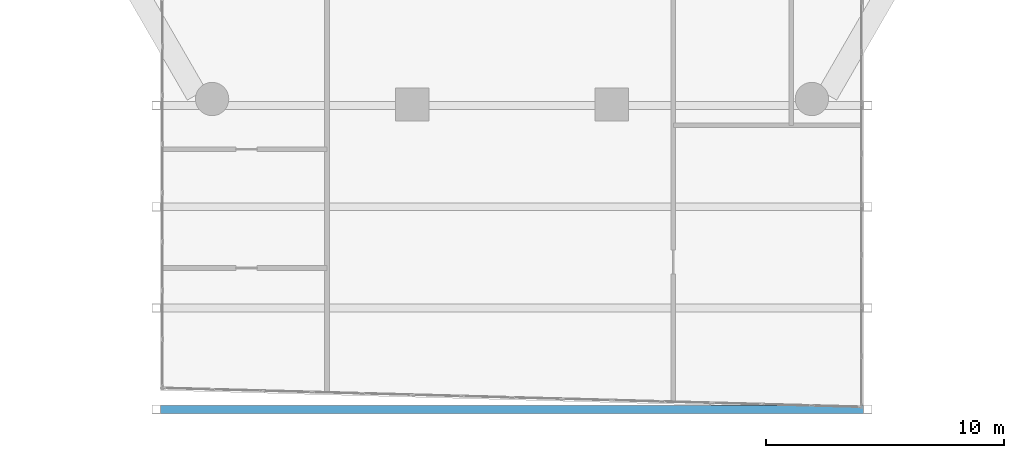
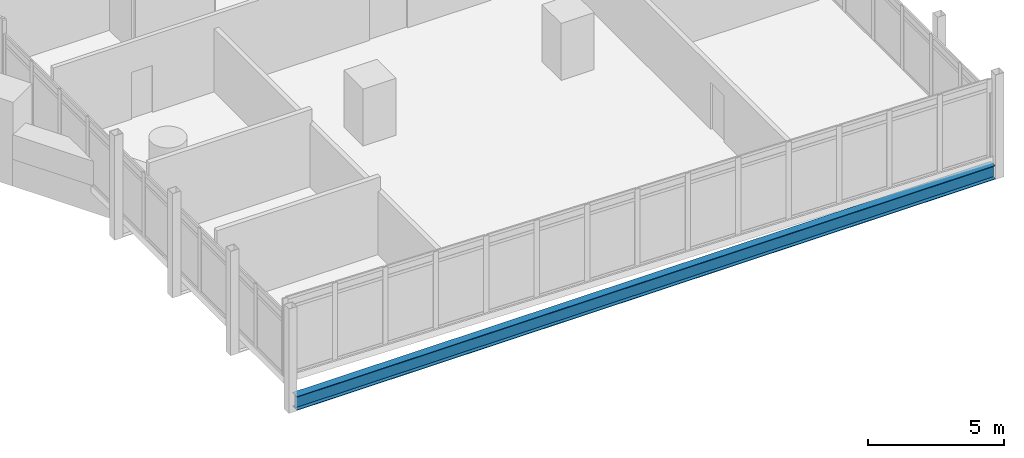
# One storey, part 4 of 28: 1 beam.
"""IFC4 building model written with IfcOpenShell, lengths in metres."""

from ifc_helpers import new_model, si_unit, direction, frame, origin, origin_2d, place, context, subcontext, project, spatial, i_section, extrude, material, material_profile, profile_set, type_object, element, save


model = new_model("IFC4")

# Units and contexts
model_context = context("Model", 3, precision=1e-05, world=origin(), true_north=direction((0.0, 1.0)))
body_context = subcontext(model_context, "Body", "Model", "MODEL_VIEW")
ifc_project = project(units=[si_unit("LENGTHUNIT", "METRE"), si_unit("AREAUNIT", "SQUARE_METRE"), si_unit("VOLUMEUNIT", "CUBIC_METRE"), si_unit("PLANEANGLEUNIT", "RADIAN"), si_unit("MASSUNIT", "GRAM", prefix="KILO")], contexts=[model_context])

# Site, building, storey
site_placement = place(None, origin())
site = spatial("IfcSite", under=ifc_project, at=site_placement, CompositionType="ELEMENT")
building_placement = place(site_placement, origin())
building = spatial("IfcBuilding", under=site, at=building_placement, Name="Ostrander Bayou Hotel Tower", CompositionType="ELEMENT")
storey_placement = place(building_placement, frame((0.0, 0.0, 76.75)))
storey = spatial("IfcBuildingStorey", under=building, at=storey_placement, Name="L19", CompositionType="ELEMENT", Elevation=76.75)

# Beam
ifc_material = material(Name="Steel ASTM A992", Category="steel")
ifc_material_profile = material_profile(ifc_material, i_section(OverallWidth=0.32763671875, OverallDepth=0.621826171875, WebThickness=0.015380859375, FlangeThickness=0.0244140625, at=origin_2d()))
ifc_profile_set = profile_set([ifc_material_profile], Name="Steel ASTM A992")
beam_type = type_object("IfcBeamType", Name="TF1 bar floor beam W24x131", PredefinedType="BEAM", material=ifc_profile_set)
beam_placement = place(storey_placement, frame((-14.787109375, -32.949951171875, -0.61083984375), z_axis=(1.0, 0.0, 0.0), x_axis=(0.0, 1.0, 0.0)))
element("IfcBeam", 1, at=beam_placement, inside=storey, type_object=beam_type, Name="TF1 SB1S L4-4", PredefinedType="BEAM", context=body_context, shape_type="SweptSolid", body=[
    extrude(i_section(OverallWidth=0.32763671875, OverallDepth=0.621826171875, WebThickness=0.015380859375, FlangeThickness=0.0244140625, at=origin_2d()), origin(), (0.0, 0.0, 1.0), 29.57421875),
])

save(model, "model.ifc")
